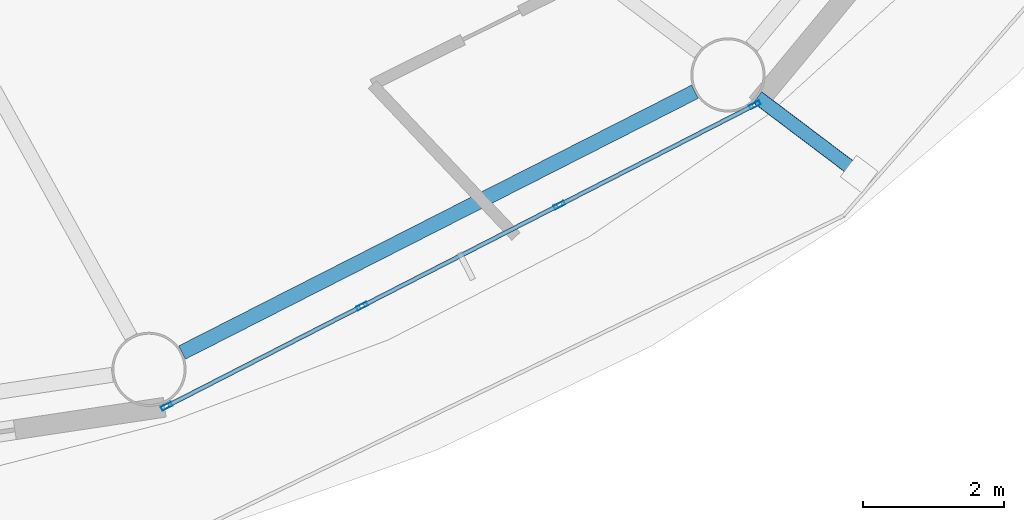
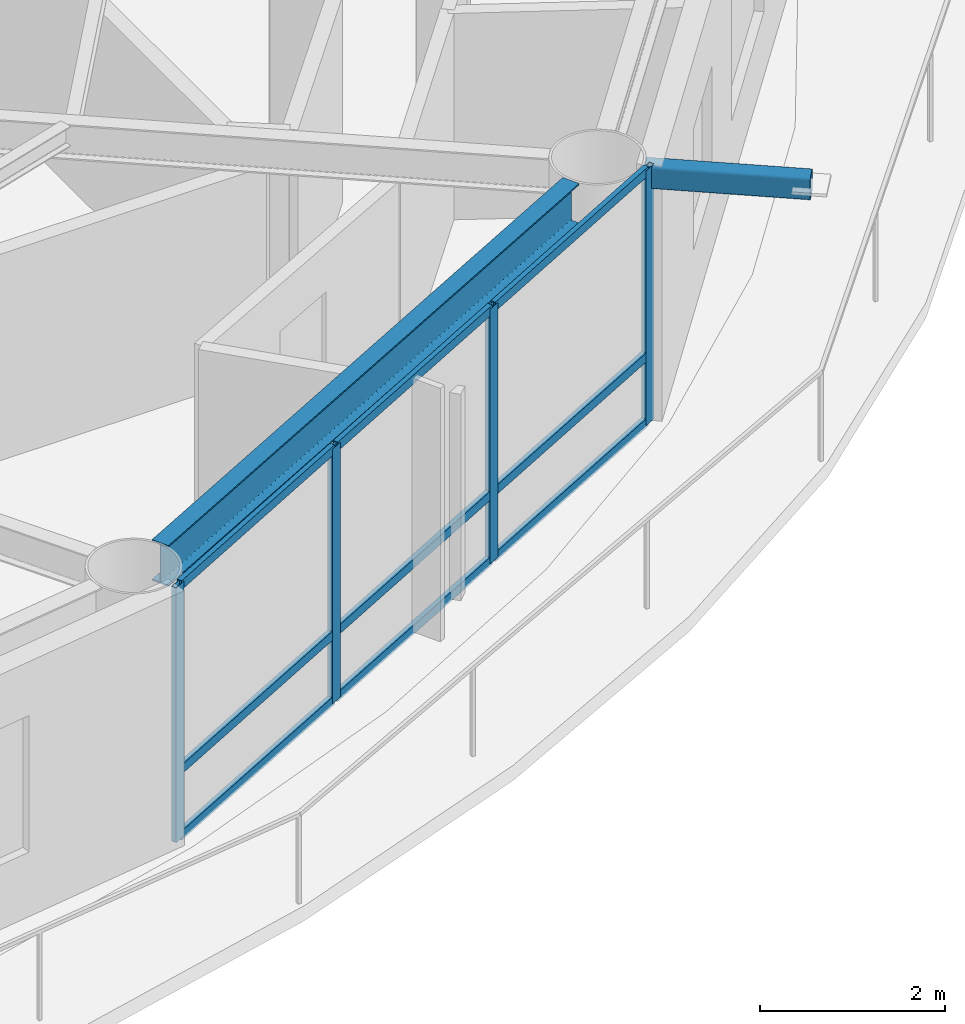
# One storey, part 5 of 23: 14 members, 1 beam, 1 element without a shape of its own.
"""IFC4 building model written with IfcOpenShell, lengths in metres."""

from ifc_helpers import new_model, si_unit, direction, frame, origin, origin_2d, place, context, subcontext, project, spatial, hollow_rectangle, i_section, extrude, material, layer, layer_set, material_profile, profile_set, type_object, element, aggregate, save


model = new_model("IFC4")

# Units and contexts
model_context = context("Model", 3, precision=1e-05, world=origin(), true_north=direction((0.0, 1.0)))
body_context = subcontext(model_context, "Body", "Model", "MODEL_VIEW")
ifc_project = project(units=[si_unit("LENGTHUNIT", "METRE"), si_unit("AREAUNIT", "SQUARE_METRE"), si_unit("VOLUMEUNIT", "CUBIC_METRE"), si_unit("PLANEANGLEUNIT", "RADIAN"), si_unit("MASSUNIT", "GRAM", prefix="KILO")], contexts=[model_context])

# Site, building, storey
site_placement = place(None, origin())
site = spatial("IfcSite", under=ifc_project, at=site_placement, CompositionType="ELEMENT")
building_placement = place(site_placement, origin())
building = spatial("IfcBuilding", under=site, at=building_placement, Name="Sarneth Arch Tower", CompositionType="ELEMENT")
storey_placement = place(building_placement, frame((0.0, 0.0, 249.60009765625)))
storey = spatial("IfcBuildingStorey", under=building, at=storey_placement, Name="L64", CompositionType="ELEMENT", Elevation=249.60009765625)

# Beam
ifc_material_1 = material(Name="Steel S355", Category="steel")
ifc_material_profile_1 = material_profile(ifc_material_1, i_section(OverallWidth=0.2109375, OverallDepth=0.5390625, WebThickness=0.01171875, FlangeThickness=0.018798828125, FilletRadius=0.01806640625, at=origin_2d()), Name="W530x109")
ifc_profile_set_1 = profile_set([ifc_material_profile_1], Name="Steel S355")
beam_type = type_object("IfcBeamType", Name="BM-RAD-530B", PredefinedType="BEAM", material=ifc_profile_set_1)
beam_placement = place(storey_placement, frame((58.2587890625, 24.49951171875, 3.09033203125), z_axis=(0.891368271482, 0.453279830342, 0.0), x_axis=(-0.453279830342, 0.891368271482, 0.0)))
element("IfcBeam", 1, at=beam_placement, inside=storey, type_object=beam_type, Name="L64 Perimeter spandrel beam 14", PredefinedType="BEAM", context=body_context, shape_type="SweptSolid", body=[
    extrude(i_section(OverallWidth=0.2109375, OverallDepth=0.5390625, WebThickness=0.01171875, FlangeThickness=0.018798828125, FilletRadius=0.01806640625, at=origin_2d()), origin(), (0.0, 0.0, 1.0), 8.1318359375),
])

# Curtain wall, members
ifc_material_2 = material(Name="Anodised aluminium Type AA25 and solar-control low-e laminated IGU", Category="aluminium")
ifc_layer = layer(ifc_material_2, 0.179931640625)
ifc_layer_set = layer_set([ifc_layer], Name="Anodised aluminium Type AA25 and solar-control low-e laminated IGU")
curtain_wall_type = type_object("IfcCurtainWallType", Name="CW-RES-HIGH", PredefinedType="NOTDEFINED", material=ifc_layer_set)
curtain_wall_placement = place(storey_placement, origin())
curtain_wall = element("IfcCurtainWall", 2, at=curtain_wall_placement, inside=storey, type_object=curtain_wall_type, Name="L64 Unitised curtain wall facet 14", PredefinedType="NOTDEFINED")
ifc_material_3 = material(Name="Anodised Aluminium 6063-T6", Category="aluminium")
ifc_material_profile_2 = material_profile(ifc_material_3, hollow_rectangle(XDim=0.06005859375, YDim=0.159912109375, WallThickness=0.00390625, at=origin_2d()), Name="AL-MULL-160x60x4")
ifc_profile_set_2 = profile_set([ifc_material_profile_2], Name="Anodised Aluminium 6063-T6")
member_type_1 = type_object("IfcMemberType", Name="CW-MULLION", PredefinedType="MULLION", material=ifc_profile_set_2)
member_1_placement = place(storey_placement, frame((58.039306640625, 23.7392578125, 0.0), z_axis=(0.0, 0.0, 1.0), x_axis=(-0.455941901753, 0.890009540525, 0.0)))
member_1 = element("IfcMember", 3, at=member_1_placement, type_object=member_type_1, Name="CW-SYS-6 mullion 1", PredefinedType="MULLION", context=body_context, shape_type="SweptSolid", body=[
    extrude(hollow_rectangle(XDim=0.06005859375, YDim=0.159912109375, WallThickness=0.00390625, at=origin_2d()), origin(), (0.0, 0.0, 1.0), 3.35986328125),
])
member_2_placement = place(storey_placement, frame((60.802490234375, 25.155029296875, 0.0), z_axis=(0.0, 0.0, 1.0), x_axis=(-0.455941901753, 0.890009540525, 0.0)))
member_2 = element("IfcMember", 4, at=member_2_placement, type_object=member_type_1, Name="CW-SYS-6 mullion 2", PredefinedType="MULLION", context=body_context, shape_type="SweptSolid", body=[
    extrude(hollow_rectangle(XDim=0.06005859375, YDim=0.159912109375, WallThickness=0.00390625, at=origin_2d()), origin(), (0.0, 0.0, 1.0), 3.35986328125),
])
member_3_placement = place(storey_placement, frame((63.592529296875, 26.584228515625, 0.0), z_axis=(0.0, 0.0, 1.0), x_axis=(-0.455941901753, 0.890009540525, 0.0)))
member_3 = element("IfcMember", 5, at=member_3_placement, type_object=member_type_1, Name="CW-SYS-6 mullion 3", PredefinedType="MULLION", context=body_context, shape_type="SweptSolid", body=[
    extrude(hollow_rectangle(XDim=0.06005859375, YDim=0.159912109375, WallThickness=0.00390625, at=origin_2d()), origin(), (0.0, 0.0, 1.0), 3.35986328125),
])
member_4_placement = place(storey_placement, frame((66.355712890625, 27.999755859375, 0.0), z_axis=(0.0, 0.0, 1.0), x_axis=(-0.455941901753, 0.890009540525, 0.0)))
member_4 = element("IfcMember", 6, at=member_4_placement, type_object=member_type_1, Name="CW-SYS-6 mullion 4", PredefinedType="MULLION", context=body_context, shape_type="SweptSolid", body=[
    extrude(hollow_rectangle(XDim=0.06005859375, YDim=0.159912109375, WallThickness=0.00390625, at=origin_2d()), origin(), (0.0, 0.0, 1.0), 3.35986328125),
])
ifc_material_4 = material(Name="Anodised Aluminium 6063-T6", Category="aluminium")
ifc_material_profile_3 = material_profile(ifc_material_4, hollow_rectangle(XDim=0.06005859375, YDim=0.1201171875, WallThickness=0.00390625, at=origin_2d()), Name="AL-TRAN-120x60x4")
ifc_profile_set_3 = profile_set([ifc_material_profile_3], Name="Anodised Aluminium 6063-T6")
member_type_2 = type_object("IfcMemberType", Name="CW-TRANSOM", PredefinedType="USERDEFINED", material=ifc_profile_set_3)
member_5_placement = place(storey_placement, frame((58.066162109375, 23.7529296875, 0.02978515625), z_axis=(0.889973523166, 0.456012201662, 0.0), x_axis=(-0.456012201662, 0.889973523166, 0.0)))
member_5 = element("IfcMember", 7, at=member_5_placement, type_object=member_type_2, Name="CW-SYS-6 transom 1.1", ObjectType="TRANSOM", PredefinedType="USERDEFINED", context=body_context, shape_type="SweptSolid", body=[
    extrude(hollow_rectangle(XDim=0.06005859375, YDim=0.1201171875, WallThickness=0.00390625, at=origin_2d()), origin(), (0.0, 0.0, 1.0), 3.044677734375),
])
member_6_placement = place(storey_placement, frame((58.066162109375, 23.7529296875, 0.89990234375), z_axis=(0.889973523166, 0.456012201662, 0.0), x_axis=(-0.456012201662, 0.889973523166, 0.0)))
member_6 = element("IfcMember", 8, at=member_6_placement, type_object=member_type_2, Name="CW-SYS-6 transom 1.2", ObjectType="TRANSOM", PredefinedType="USERDEFINED", context=body_context, shape_type="SweptSolid", body=[
    extrude(hollow_rectangle(XDim=0.06005859375, YDim=0.1201171875, WallThickness=0.00390625, at=origin_2d()), origin(), (0.0, 0.0, 1.0), 3.044677734375),
])
member_7_placement = place(storey_placement, frame((58.066162109375, 23.7529296875, 3.329833984375), z_axis=(0.889973523166, 0.456012201662, 0.0), x_axis=(-0.456012201662, 0.889973523166, 0.0)))
member_7 = element("IfcMember", 9, at=member_7_placement, type_object=member_type_2, Name="CW-SYS-6 transom 1.3", ObjectType="TRANSOM", PredefinedType="USERDEFINED", context=body_context, shape_type="SweptSolid", body=[
    extrude(hollow_rectangle(XDim=0.06005859375, YDim=0.1201171875, WallThickness=0.00390625, at=origin_2d()), origin(), (0.0, 0.0, 1.0), 3.044677734375),
])
member_8_placement = place(storey_placement, frame((60.829345703125, 25.168701171875, 0.02978515625), z_axis=(0.890017432405, 0.455926496286, 0.0), x_axis=(-0.455926496286, 0.890017432405, 0.0)))
member_8 = element("IfcMember", 10, at=member_8_placement, type_object=member_type_2, Name="CW-SYS-6 transom 2.1", ObjectType="TRANSOM", PredefinedType="USERDEFINED", context=body_context, shape_type="SweptSolid", body=[
    extrude(hollow_rectangle(XDim=0.06005859375, YDim=0.1201171875, WallThickness=0.00390625, at=origin_2d()), origin(), (0.0, 0.0, 1.0), 3.07470703125),
])
member_9_placement = place(storey_placement, frame((60.829345703125, 25.168701171875, 0.89990234375), z_axis=(0.890017432405, 0.455926496286, 0.0), x_axis=(-0.455926496286, 0.890017432405, 0.0)))
member_9 = element("IfcMember", 11, at=member_9_placement, type_object=member_type_2, Name="CW-SYS-6 transom 2.2", ObjectType="TRANSOM", PredefinedType="USERDEFINED", context=body_context, shape_type="SweptSolid", body=[
    extrude(hollow_rectangle(XDim=0.06005859375, YDim=0.1201171875, WallThickness=0.00390625, at=origin_2d()), origin(), (0.0, 0.0, 1.0), 3.07470703125),
])
member_10_placement = place(storey_placement, frame((60.829345703125, 25.168701171875, 3.329833984375), z_axis=(0.890017432405, 0.455926496286, 0.0), x_axis=(-0.455926496286, 0.890017432405, 0.0)))
member_10 = element("IfcMember", 12, at=member_10_placement, type_object=member_type_2, Name="CW-SYS-6 transom 2.3", ObjectType="TRANSOM", PredefinedType="USERDEFINED", context=body_context, shape_type="SweptSolid", body=[
    extrude(hollow_rectangle(XDim=0.06005859375, YDim=0.1201171875, WallThickness=0.00390625, at=origin_2d()), origin(), (0.0, 0.0, 1.0), 3.07470703125),
])
member_11_placement = place(storey_placement, frame((63.619140625, 26.597900390625, 0.02978515625), z_axis=(0.890022732705, 0.455916149384, 0.0), x_axis=(-0.455916149384, 0.890022732705, 0.0)))
member_11 = element("IfcMember", 13, at=member_11_placement, type_object=member_type_2, Name="CW-SYS-6 transom 3.1", ObjectType="TRANSOM", PredefinedType="USERDEFINED", context=body_context, shape_type="SweptSolid", body=[
    extrude(hollow_rectangle(XDim=0.06005859375, YDim=0.1201171875, WallThickness=0.00390625, at=origin_2d()), origin(), (0.0, 0.0, 1.0), 3.044921875),
])
member_12_placement = place(storey_placement, frame((63.619140625, 26.597900390625, 0.89990234375), z_axis=(0.890022732705, 0.455916149384, 0.0), x_axis=(-0.455916149384, 0.890022732705, 0.0)))
member_12 = element("IfcMember", 14, at=member_12_placement, type_object=member_type_2, Name="CW-SYS-6 transom 3.2", ObjectType="TRANSOM", PredefinedType="USERDEFINED", context=body_context, shape_type="SweptSolid", body=[
    extrude(hollow_rectangle(XDim=0.06005859375, YDim=0.1201171875, WallThickness=0.00390625, at=origin_2d()), origin(), (0.0, 0.0, 1.0), 3.044921875),
])
member_13_placement = place(storey_placement, frame((63.619140625, 26.597900390625, 3.329833984375), z_axis=(0.890022732705, 0.455916149384, 0.0), x_axis=(-0.455916149384, 0.890022732705, 0.0)))
member_13 = element("IfcMember", 15, at=member_13_placement, type_object=member_type_2, Name="CW-SYS-6 transom 3.3", ObjectType="TRANSOM", PredefinedType="USERDEFINED", context=body_context, shape_type="SweptSolid", body=[
    extrude(hollow_rectangle(XDim=0.06005859375, YDim=0.1201171875, WallThickness=0.00390625, at=origin_2d()), origin(), (0.0, 0.0, 1.0), 3.044921875),
])
aggregate(curtain_wall, [member_1, member_2, member_3, member_4, member_5, member_6, member_7, member_8, member_9, member_10, member_11, member_12, member_13])

# Member
ifc_material_5 = material(Name="Steel S355", Category="steel")
ifc_material_profile_4 = material_profile(ifc_material_5, hollow_rectangle(XDim=0.199951171875, YDim=0.300048828125, WallThickness=0.012451171875, InnerFilletRadius=0.018798828125, OuterFilletRadius=0.03125, at=origin_2d()), Name="RHS300x200x12.5")
ifc_profile_set_4 = profile_set([ifc_material_profile_4], Name="Steel S355")
member_type_3 = type_object("IfcMemberType", Name="MEM-CANT-STRUT", PredefinedType="STRUT", material=ifc_profile_set_4)
member_14_placement = place(storey_placement, frame((66.39404296875, 28.107177734375, 3.199951171875), z_axis=(0.797977476404, -0.602687271437, 0.0), x_axis=(0.602687271437, 0.797977476404, 0.0)))
element("IfcMember", 16, at=member_14_placement, inside=storey, type_object=member_type_3, Name="L64 Balcony cantilever bracket 15", PredefinedType="STRUT", context=body_context, shape_type="SweptSolid", body=[
    extrude(hollow_rectangle(XDim=0.199951171875, YDim=0.300048828125, WallThickness=0.012451171875, InnerFilletRadius=0.018798828125, OuterFilletRadius=0.03125, at=origin_2d()), origin(), (0.0, 0.0, 1.0), 1.80029296875),
])

save(model, "model.ifc")
